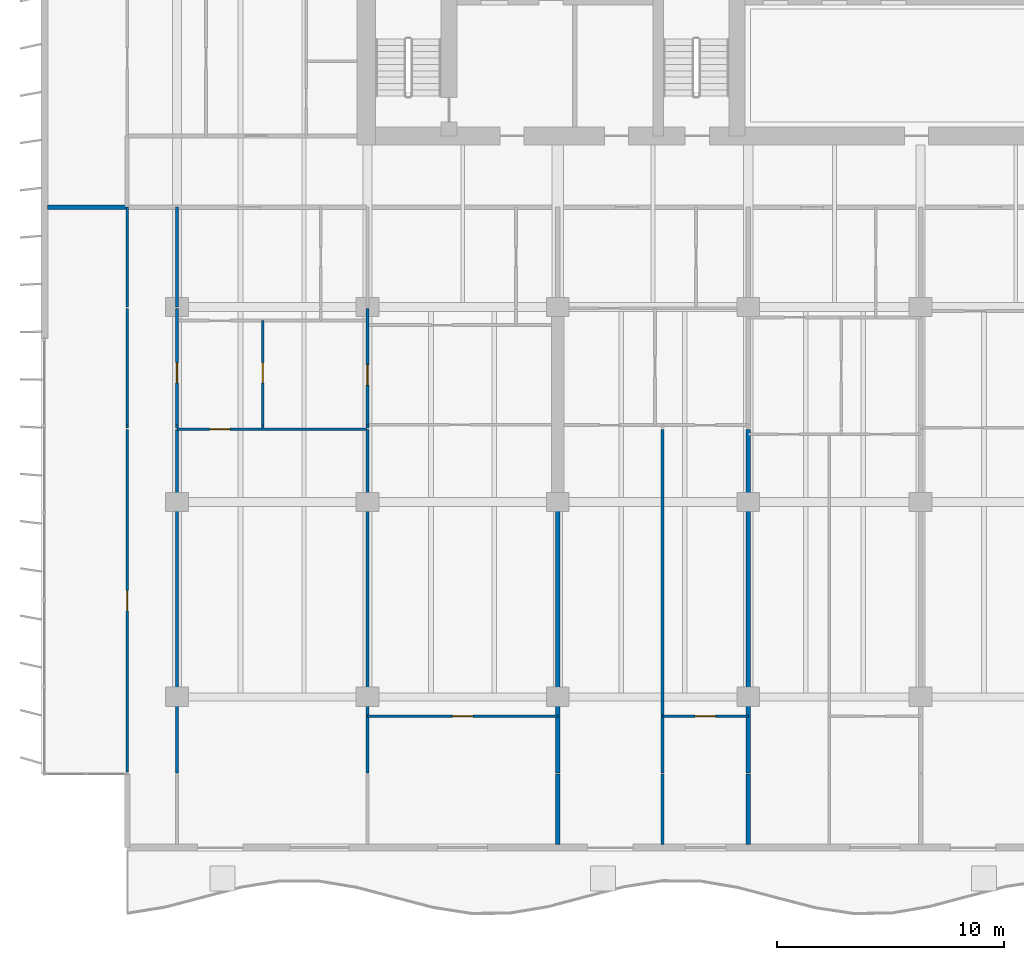
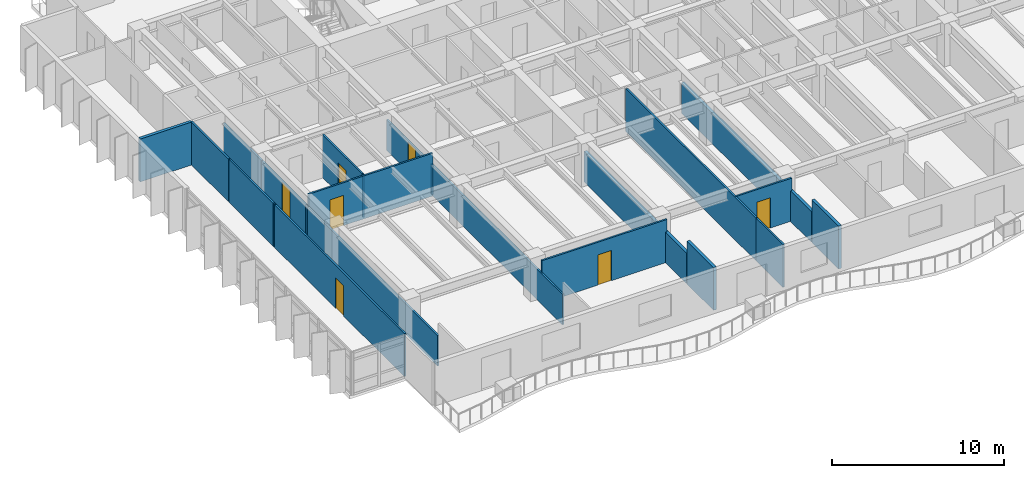
# One storey, part 6 of 19: 23 walls, 7 doors, 7 openings.
"""IFC4 building model written with IfcOpenShell, lengths in metres."""

from ifc_helpers import new_model, si_unit, direction, frame, frame_2d, origin, place, context, subcontext, project, spatial, rectangle, extrude, material, layer, layer_set, type_object, element, fill, save


model = new_model("IFC4")

# Units and contexts
model_context = context("Model", 3, precision=1e-05, world=origin(), true_north=direction((0.0, 1.0)))
body_context = subcontext(model_context, "Body", "Model", "MODEL_VIEW")
ifc_project = project(units=[si_unit("LENGTHUNIT", "METRE"), si_unit("AREAUNIT", "SQUARE_METRE"), si_unit("VOLUMEUNIT", "CUBIC_METRE"), si_unit("PLANEANGLEUNIT", "RADIAN"), si_unit("MASSUNIT", "GRAM", prefix="KILO")], contexts=[model_context])

# Site, building, storey
site_placement = place(None, origin())
site = spatial("IfcSite", under=ifc_project, at=site_placement, CompositionType="ELEMENT")
building_placement = place(site_placement, origin())
building = spatial("IfcBuilding", under=site, at=building_placement, Name="Caelmar Bay Residences", CompositionType="ELEMENT")
storey_placement = place(building_placement, frame((0.0, 0.0, 91.199951171875)))
storey = spatial("IfcBuildingStorey", under=building, at=storey_placement, Name="L24", CompositionType="ELEMENT", Elevation=91.199951171875)

# Wall, opening, door
ifc_material_1 = material(Name="Acoustic metal-stud gypsum partition 120 mm")
ifc_layer_1 = layer(ifc_material_1, 0.1201171875)
ifc_layer_set_1 = layer_set([ifc_layer_1], Name="Acoustic metal-stud gypsum partition 120 mm")
wall_type_1 = type_object("IfcWallType", Name="W-PRT-120", PredefinedType="PARTITIONING", material=ifc_layer_set_1)
wall_1_placement = place(storey_placement, frame((7.699951171875, 8.885009765625, 0.0), z_axis=(0.0, 0.0, 1.0), x_axis=(0.0, 1.0, 0.0)))
wall_1 = element("IfcWall", 1, at=wall_1_placement, inside=storey, type_object=wall_type_1, Name="L24 Partition Wall V001", PredefinedType="PARTITIONING", context=body_context, shape_type="SweptSolid", body=[
    extrude(rectangle(XDim=15.114990234375, YDim=0.1201171875, at=frame_2d((7.5576171875, 0.0))), origin(), (0.0, 0.0, 1.0), 3.050048828125),
])
opening_1_placement = place(wall_1_placement, frame((7.107421875, 0.0, 0.0)))
opening_1 = element("IfcOpeningElement", 2, at=opening_1_placement, cuts=wall_1, Name="Opening D-L24-162", PredefinedType="OPENING", context=body_context, shape_type="SweptSolid", body=[
    extrude(rectangle(XDim=0.89990234375, YDim=2.14990234375, at=frame_2d((0.449951171875, 1.074951171875))), frame((0.0, 0.070068359375, 0.0), z_axis=(0.0, -1.0, 0.0), x_axis=(1.0, 0.0, 0.0)), (0.0, 0.0, 1.0), 0.14013671875),
])
ifc_material_2 = material(Name="Solid walnut timber interior door leaf and frame", Category="wood")
ifc_layer_2 = layer(ifc_material_2, 0.050048828125)
ifc_layer_set_2 = layer_set([ifc_layer_2], Name="Solid walnut timber interior door leaf and frame")
door_type = type_object("IfcDoorType", Name="D-ROOM-900", OperationType="NOTDEFINED", PredefinedType="DOOR", material=ifc_layer_set_2)
door_1_placement = place(opening_1_placement, origin())
door_1 = element("IfcDoor", 3, at=door_1_placement, inside=storey, type_object=door_type, Name="L24 Residence 01 Penthouse West Salon Door", OperationType="SINGLE_SWING_LEFT", OverallHeight=2.14990234375, OverallWidth=0.89990234375, PredefinedType="DOOR", context=body_context, shape_type="SweptSolid", body=[
    extrude(rectangle(XDim=0.89990234375, YDim=2.14990234375, at=frame_2d((0.449951171875, 1.074951171875))), frame((0.0, 0.02490234375, 0.0), z_axis=(0.0, -1.0, 0.0), x_axis=(1.0, 0.0, 0.0)), (0.0, 0.0, 1.0), 0.050048828125),
])
fill(opening_1, door_1)

# Walls
wall_2_placement = place(storey_placement, frame((7.699951171875, 24.070068359375, 0.0), z_axis=(0.0, 0.0, 1.0), x_axis=(0.0, 1.0, 0.0)))
element("IfcWall", 4, at=wall_2_placement, inside=storey, type_object=wall_type_1, Name="L24 Partition Wall V002", PredefinedType="PARTITIONING", context=body_context, shape_type="SweptSolid", body=[
    extrude(rectangle(XDim=0.119873046875, YDim=0.1201171875, at=frame_2d((0.06005859375, 0.0))), origin(), (0.0, 0.0, 1.0), 3.050048828125),
])
wall_3_placement = place(storey_placement, frame((7.699951171875, 24.199951171875, 0.0), z_axis=(0.0, 0.0, 1.0), x_axis=(0.0, 1.0, 0.0)))
element("IfcWall", 5, at=wall_3_placement, inside=storey, type_object=wall_type_1, Name="L24 Partition Wall V003", PredefinedType="PARTITIONING", context=body_context, shape_type="SweptSolid", body=[
    extrude(rectangle(XDim=5.14013671875, YDim=0.1201171875, at=frame_2d((2.570068359375, 0.0))), origin(), (0.0, 0.0, 1.0), 3.050048828125),
])
wall_4_placement = place(storey_placement, frame((7.699951171875, 29.39990234375, 0.0), z_axis=(0.0, 0.0, 1.0), x_axis=(0.0, 1.0, 0.0)))
element("IfcWall", 6, at=wall_4_placement, inside=storey, type_object=wall_type_1, Name="L24 Partition Wall V004", PredefinedType="PARTITIONING", context=body_context, shape_type="SweptSolid", body=[
    extrude(rectangle(XDim=4.400146484375, YDim=0.1201171875, at=frame_2d((2.2001953125, 0.0))), origin(), (0.0, 0.0, 1.0), 3.050048828125),
])
wall_5_placement = place(storey_placement, frame((9.89990234375, 8.840087890625, 0.0), z_axis=(0.0, 0.0, 1.0), x_axis=(0.0, 1.0, 0.0)))
element("IfcWall", 7, at=wall_5_placement, inside=storey, type_object=wall_type_1, Name="L24 Partition Wall V009", PredefinedType="PARTITIONING", context=body_context, shape_type="SweptSolid", body=[
    extrude(rectangle(XDim=15.159912109375, YDim=0.1201171875, at=frame_2d((7.580078125, 0.0))), origin(), (0.0, 0.0, 1.0), 2.174072265625),
])
wall_6_placement = place(storey_placement, frame((9.89990234375, 24.070068359375, 0.0), z_axis=(0.0, 0.0, 1.0), x_axis=(0.0, 1.0, 0.0)))
element("IfcWall", 8, at=wall_6_placement, inside=storey, type_object=wall_type_1, Name="L24 Partition Wall V010", PredefinedType="PARTITIONING", context=body_context, shape_type="SweptSolid", body=[
    extrude(rectangle(XDim=0.119873046875, YDim=0.1201171875, at=frame_2d((0.06005859375, 0.0))), origin(), (0.0, 0.0, 1.0), 2.174072265625),
])

# Wall, opening, door
wall_7_placement = place(storey_placement, frame((9.89990234375, 24.199951171875, 0.0), z_axis=(0.0, 0.0, 1.0), x_axis=(0.0, 1.0, 0.0)))
wall_7 = element("IfcWall", 9, at=wall_7_placement, inside=storey, type_object=wall_type_1, Name="L24 Partition Wall V011", PredefinedType="PARTITIONING", context=body_context, shape_type="SweptSolid", body=[
    extrude(rectangle(XDim=5.14013671875, YDim=0.1201171875, at=frame_2d((2.570068359375, 0.0))), origin(), (0.0, 0.0, 1.0), 2.174072265625),
])
opening_2_placement = place(wall_7_placement, frame((1.85009765625, 0.0, 0.0)))
opening_2 = element("IfcOpeningElement", 10, at=opening_2_placement, cuts=wall_7, Name="Opening D-L24-129", PredefinedType="OPENING", context=body_context, shape_type="SweptSolid", body=[
    extrude(rectangle(XDim=0.89990234375, YDim=2.1240234375, at=frame_2d((0.449951171875, 1.06201171875))), frame((0.0, 0.070068359375, 0.0), z_axis=(0.0, -1.0, 0.0), x_axis=(1.0, 0.0, 0.0)), (0.0, 0.0, 1.0), 0.14013671875),
])
door_2_placement = place(opening_2_placement, origin())
door_2 = element("IfcDoor", 11, at=door_2_placement, inside=storey, type_object=door_type, Name="L24 Residence 01 West Apartment Hall Door", OperationType="SINGLE_SWING_RIGHT", OverallHeight=2.1240234375, OverallWidth=0.89990234375, PredefinedType="DOOR", context=body_context, shape_type="SweptSolid", body=[
    extrude(rectangle(XDim=0.89990234375, YDim=2.1240234375, at=frame_2d((0.449951171875, 1.06201171875))), frame((0.0, 0.02490234375, 0.0), z_axis=(0.0, -1.0, 0.0), x_axis=(1.0, 0.0, 0.0)), (0.0, 0.0, 1.0), 0.050048828125),
])
fill(opening_2, door_2)

# Walls
wall_8_placement = place(storey_placement, frame((9.89990234375, 29.39990234375, 0.0), z_axis=(0.0, 0.0, 1.0), x_axis=(0.0, 1.0, 0.0)))
element("IfcWall", 12, at=wall_8_placement, inside=storey, type_object=wall_type_1, Name="L24 Partition Wall V012", PredefinedType="PARTITIONING", context=body_context, shape_type="SweptSolid", body=[
    extrude(rectangle(XDim=4.400146484375, YDim=0.1201171875, at=frame_2d((2.2001953125, 0.0))), origin(), (0.0, 0.0, 1.0), 2.174072265625),
])
wall_9_placement = place(storey_placement, frame((13.679931640625, 24.070068359375, 0.0), z_axis=(0.0, 0.0, 1.0), x_axis=(0.0, 1.0, 0.0)))
element("IfcWall", 13, at=wall_9_placement, inside=storey, type_object=wall_type_1, Name="L24 Partition Wall V014", PredefinedType="PARTITIONING", context=body_context, shape_type="SweptSolid", body=[
    extrude(rectangle(XDim=0.119873046875, YDim=0.1201171875, at=frame_2d((0.06005859375, 0.0))), origin(), (0.0, 0.0, 1.0), 3.050048828125),
])

# Wall, opening, door
wall_10_placement = place(storey_placement, frame((13.679931640625, 24.199951171875, 0.0), z_axis=(0.0, 0.0, 1.0), x_axis=(0.0, 1.0, 0.0)))
wall_10 = element("IfcWall", 14, at=wall_10_placement, inside=storey, type_object=wall_type_1, Name="L24 Partition Wall V015", PredefinedType="PARTITIONING", context=body_context, shape_type="SweptSolid", body=[
    extrude(rectangle(XDim=4.60009765625, YDim=0.1201171875, at=frame_2d((2.300048828125, 0.0))), origin(), (0.0, 0.0, 1.0), 3.050048828125),
])
opening_3_placement = place(wall_10_placement, frame((1.85009765625, 0.0, 0.0)))
opening_3 = element("IfcOpeningElement", 15, at=opening_3_placement, cuts=wall_10, Name="Opening D-L24-122", PredefinedType="OPENING", context=body_context, shape_type="SweptSolid", body=[
    extrude(rectangle(XDim=0.89990234375, YDim=2.14990234375, at=frame_2d((0.449951171875, 1.074951171875))), frame((0.0, 0.070068359375, 0.0), z_axis=(0.0, -1.0, 0.0), x_axis=(1.0, 0.0, 0.0)), (0.0, 0.0, 1.0), 0.14013671875),
])
door_3_placement = place(opening_3_placement, origin())
door_3 = element("IfcDoor", 16, at=door_3_placement, inside=storey, type_object=door_type, Name="L24 Residence 01 Kitchen Door", OperationType="SINGLE_SWING_LEFT", OverallHeight=2.14990234375, OverallWidth=0.89990234375, PredefinedType="DOOR", context=body_context, shape_type="SweptSolid", body=[
    extrude(rectangle(XDim=0.89990234375, YDim=2.14990234375, at=frame_2d((0.449951171875, 1.074951171875))), frame((0.0, 0.02490234375, 0.0), z_axis=(0.0, -1.0, 0.0), x_axis=(1.0, 0.0, 0.0)), (0.0, 0.0, 1.0), 0.050048828125),
])
fill(opening_3, door_3)

# Walls
wall_11_placement = place(storey_placement, frame((18.300048828125, 8.840087890625, 0.0), z_axis=(0.0, 0.0, 1.0), x_axis=(0.0, 1.0, 0.0)))
element("IfcWall", 17, at=wall_11_placement, inside=storey, type_object=wall_type_1, Name="L24 Partition Wall V020", PredefinedType="PARTITIONING", context=body_context, shape_type="SweptSolid", body=[
    extrude(rectangle(XDim=15.159912109375, YDim=0.1201171875, at=frame_2d((7.580078125, 0.0))), origin(), (0.0, 0.0, 1.0), 2.174072265625),
])
wall_12_placement = place(storey_placement, frame((18.300048828125, 24.070068359375, 0.0), z_axis=(0.0, 0.0, 1.0), x_axis=(0.0, 1.0, 0.0)))
element("IfcWall", 18, at=wall_12_placement, inside=storey, type_object=wall_type_1, Name="L24 Partition Wall V021", PredefinedType="PARTITIONING", context=body_context, shape_type="SweptSolid", body=[
    extrude(rectangle(XDim=0.119873046875, YDim=0.1201171875, at=frame_2d((0.06005859375, 0.0))), origin(), (0.0, 0.0, 1.0), 2.174072265625),
])

# Wall, opening, door
wall_13_placement = place(storey_placement, frame((18.300048828125, 24.199951171875, 0.0), z_axis=(0.0, 0.0, 1.0), x_axis=(0.0, 1.0, 0.0)))
wall_13 = element("IfcWall", 19, at=wall_13_placement, inside=storey, type_object=wall_type_1, Name="L24 Partition Wall V022", PredefinedType="PARTITIONING", context=body_context, shape_type="SweptSolid", body=[
    extrude(rectangle(XDim=5.14013671875, YDim=0.1201171875, at=frame_2d((2.570068359375, 0.0))), origin(), (0.0, 0.0, 1.0), 2.174072265625),
])
opening_4_placement = place(wall_13_placement, frame((1.75, 0.0, 0.0)))
opening_4 = element("IfcOpeningElement", 20, at=opening_4_placement, cuts=wall_13, Name="Opening D-L24-124", PredefinedType="OPENING", context=body_context, shape_type="SweptSolid", body=[
    extrude(rectangle(XDim=0.89990234375, YDim=2.1240234375, at=frame_2d((0.449951171875, 1.06201171875))), frame((0.0, 0.070068359375, 0.0), z_axis=(0.0, -1.0, 0.0), x_axis=(1.0, 0.0, 0.0)), (0.0, 0.0, 1.0), 0.14013671875),
])
door_4_placement = place(opening_4_placement, origin())
door_4 = element("IfcDoor", 21, at=door_4_placement, inside=storey, type_object=door_type, Name="L24 Residence 01 Library Study 1 Door", OperationType="SINGLE_SWING_LEFT", OverallHeight=2.1240234375, OverallWidth=0.89990234375, PredefinedType="DOOR", context=body_context, shape_type="SweptSolid", body=[
    extrude(rectangle(XDim=0.89990234375, YDim=2.1240234375, at=frame_2d((0.449951171875, 1.06201171875))), frame((0.0, 0.02490234375, 0.0), z_axis=(0.0, -1.0, 0.0), x_axis=(1.0, 0.0, 0.0)), (0.0, 0.0, 1.0), 0.050048828125),
])
fill(opening_4, door_4)

# Walls
wall_14_placement = place(storey_placement, frame((31.320068359375, 5.695068359375, 0.0), z_axis=(0.0, 0.0, 1.0), x_axis=(0.0, 1.0, 0.0)))
element("IfcWall", 22, at=wall_14_placement, inside=storey, type_object=wall_type_1, Name="L24 Partition Wall V034", PredefinedType="PARTITIONING", context=body_context, shape_type="SweptSolid", body=[
    extrude(rectangle(XDim=3.10498046875, YDim=0.1201171875, at=frame_2d((1.552490234375, 0.0))), origin(), (0.0, 0.0, 1.0), 3.050048828125),
])
wall_15_placement = place(storey_placement, frame((31.320068359375, 8.840087890625, 0.0), z_axis=(0.0, 0.0, 1.0), x_axis=(0.0, 1.0, 0.0)))
element("IfcWall", 23, at=wall_15_placement, inside=storey, type_object=wall_type_1, Name="L24 Partition Wall V035", PredefinedType="PARTITIONING", context=body_context, shape_type="SweptSolid", body=[
    extrude(rectangle(XDim=15.159912109375, YDim=0.1201171875, at=frame_2d((7.580078125, 0.0))), origin(), (0.0, 0.0, 1.0), 3.050048828125),
])

# Wall, opening, door
wall_16_placement = place(storey_placement, frame((18.300048828125, 11.35009765625, 0.0), z_axis=(0.0, 0.0, 1.0), x_axis=(1.0, 0.0, 0.0)))
wall_16 = element("IfcWall", 24, at=wall_16_placement, inside=storey, type_object=wall_type_1, Name="L24 Partition Wall H099", PredefinedType="PARTITIONING", context=body_context, shape_type="SweptSolid", body=[
    extrude(rectangle(XDim=8.39990234375, YDim=0.1201171875, at=frame_2d((4.199951171875, 0.0))), origin(), (0.0, 0.0, 1.0), 3.050048828125),
])
opening_5_placement = place(wall_16_placement, frame((3.75, 0.0, 0.0)))
opening_5 = element("IfcOpeningElement", 25, at=opening_5_placement, cuts=wall_16, Name="Opening D-L24-128", PredefinedType="OPENING", context=body_context, shape_type="SweptSolid", body=[
    extrude(rectangle(XDim=0.89990234375, YDim=2.14990234375, at=frame_2d((0.449951171875, 1.074951171875))), frame((0.0, 0.070068359375, 0.0), z_axis=(0.0, -1.0, 0.0), x_axis=(1.0, 0.0, 0.0)), (0.0, 0.0, 1.0), 0.14013671875),
])
door_5_placement = place(opening_5_placement, origin())
door_5 = element("IfcDoor", 26, at=door_5_placement, inside=storey, type_object=door_type, Name="L24 Residence 01 Primary Bedroom 1 Door", OperationType="SINGLE_SWING_LEFT", OverallHeight=2.14990234375, OverallWidth=0.89990234375, PredefinedType="DOOR", context=body_context, shape_type="SweptSolid", body=[
    extrude(rectangle(XDim=0.89990234375, YDim=2.14990234375, at=frame_2d((0.449951171875, 1.074951171875))), frame((0.0, 0.02490234375, 0.0), z_axis=(0.0, -1.0, 0.0), x_axis=(1.0, 0.0, 0.0)), (0.0, 0.0, 1.0), 0.050048828125),
])
fill(opening_5, door_5)

wall_17_placement = place(storey_placement, frame((31.320068359375, 11.35009765625, 0.0), z_axis=(0.0, 0.0, 1.0), x_axis=(1.0, 0.0, 0.0)))
wall_17 = element("IfcWall", 27, at=wall_17_placement, inside=storey, type_object=wall_type_1, Name="L24 Partition Wall H100", PredefinedType="PARTITIONING", context=body_context, shape_type="SweptSolid", body=[
    extrude(rectangle(XDim=3.780029296875, YDim=0.1201171875, at=frame_2d((1.89013671875, 0.0))), origin(), (0.0, 0.0, 1.0), 3.050048828125),
])
opening_6_placement = place(wall_17_placement, frame((1.43994140625, 0.0, 0.0)))
opening_6 = element("IfcOpeningElement", 28, at=opening_6_placement, cuts=wall_17, Name="Opening D-L24-136", PredefinedType="OPENING", context=body_context, shape_type="SweptSolid", body=[
    extrude(rectangle(XDim=0.89990234375, YDim=2.14990234375, at=frame_2d((0.449951171875, 1.074951171875))), frame((0.0, 0.070068359375, 0.0), z_axis=(0.0, -1.0, 0.0), x_axis=(1.0, 0.0, 0.0)), (0.0, 0.0, 1.0), 0.14013671875),
])
door_6_placement = place(opening_6_placement, origin())
door_6 = element("IfcDoor", 29, at=door_6_placement, inside=storey, type_object=door_type, Name="L24 Residence 02 Primary Bedroom Door", OperationType="SINGLE_SWING_LEFT", OverallHeight=2.14990234375, OverallWidth=0.89990234375, PredefinedType="DOOR", context=body_context, shape_type="SweptSolid", body=[
    extrude(rectangle(XDim=0.89990234375, YDim=2.14990234375, at=frame_2d((0.449951171875, 1.074951171875))), frame((0.0, 0.02490234375, 0.0), z_axis=(0.0, -1.0, 0.0), x_axis=(1.0, 0.0, 0.0)), (0.0, 0.0, 1.0), 0.050048828125),
])
fill(opening_6, door_6)

wall_18_placement = place(storey_placement, frame((9.89990234375, 24.0, 0.0), z_axis=(0.0, 0.0, 1.0), x_axis=(1.0, 0.0, 0.0)))
wall_18 = element("IfcWall", 30, at=wall_18_placement, inside=storey, type_object=wall_type_1, Name="L24 Partition Wall H105", PredefinedType="PARTITIONING", context=body_context, shape_type="SweptSolid", body=[
    extrude(rectangle(XDim=8.35009765625, YDim=0.1201171875, at=frame_2d((4.175048828125, 0.0))), origin(), (0.0, 0.0, 1.0), 3.050048828125),
])
opening_7_placement = place(wall_18_placement, frame((1.43994140625, 0.0, 0.0)))
opening_7 = element("IfcOpeningElement", 31, at=opening_7_placement, cuts=wall_18, Name="Opening D-L24-123", PredefinedType="OPENING", context=body_context, shape_type="SweptSolid", body=[
    extrude(rectangle(XDim=0.89990234375, YDim=2.14990234375, at=frame_2d((0.449951171875, 1.074951171875))), frame((0.0, 0.070068359375, 0.0), z_axis=(0.0, -1.0, 0.0), x_axis=(1.0, 0.0, 0.0)), (0.0, 0.0, 1.0), 0.14013671875),
])
door_7_placement = place(opening_7_placement, origin())
door_7 = element("IfcDoor", 32, at=door_7_placement, inside=storey, type_object=door_type, Name="L24 Residence 01 Penthouse Living Salon Door", OperationType="SINGLE_SWING_RIGHT", OverallHeight=2.14990234375, OverallWidth=0.89990234375, PredefinedType="DOOR", context=body_context, shape_type="SweptSolid", body=[
    extrude(rectangle(XDim=0.89990234375, YDim=2.14990234375, at=frame_2d((0.449951171875, 1.074951171875))), frame((0.0, 0.02490234375, 0.0), z_axis=(0.0, -1.0, 0.0), x_axis=(1.0, 0.0, 0.0)), (0.0, 0.0, 1.0), 0.050048828125),
])
fill(opening_7, door_7)

# Walls
ifc_material_3 = material(Name="Acoustic twin-stud fire-rated inter-tenancy partition 200 mm")
ifc_layer_3 = layer(ifc_material_3, 0.199951171875)
ifc_layer_set_3 = layer_set([ifc_layer_3], Name="Acoustic twin-stud fire-rated inter-tenancy partition 200 mm")
wall_type_2 = type_object("IfcWallType", Name="W-PTY-200", PredefinedType="PARTITIONING", material=ifc_layer_set_3)
wall_19_placement = place(storey_placement, frame((26.699951171875, 5.695068359375, 0.0), z_axis=(0.0, 0.0, 1.0), x_axis=(0.0, 1.0, 0.0)))
element("IfcWall", 33, at=wall_19_placement, inside=storey, type_object=wall_type_2, Name="L24 Partition Wall V028", PredefinedType="PARTITIONING", context=body_context, shape_type="SweptSolid", body=[
    extrude(rectangle(XDim=3.10498046875, YDim=0.199951171875, at=frame_2d((1.552490234375, 0.0))), origin(), (0.0, 0.0, 1.0), 3.050048828125),
])
wall_20_placement = place(storey_placement, frame((26.699951171875, 8.840087890625, 0.0), z_axis=(0.0, 0.0, 1.0), x_axis=(0.0, 1.0, 0.0)))
element("IfcWall", 34, at=wall_20_placement, inside=storey, type_object=wall_type_2, Name="L24 Partition Wall V029", PredefinedType="PARTITIONING", context=body_context, shape_type="SweptSolid", body=[
    extrude(rectangle(XDim=11.954833984375, YDim=0.199951171875, at=frame_2d((5.9775390625, 0.0))), origin(), (0.0, 0.0, 1.0), 2.174072265625),
])
wall_21_placement = place(storey_placement, frame((35.10009765625, 5.695068359375, 0.0), z_axis=(0.0, 0.0, 1.0), x_axis=(0.0, 1.0, 0.0)))
element("IfcWall", 35, at=wall_21_placement, inside=storey, type_object=wall_type_2, Name="L24 Partition Wall V038", PredefinedType="PARTITIONING", context=body_context, shape_type="SweptSolid", body=[
    extrude(rectangle(XDim=3.10498046875, YDim=0.199951171875, at=frame_2d((1.552490234375, 0.0))), origin(), (0.0, 0.0, 1.0), 3.050048828125),
])
wall_22_placement = place(storey_placement, frame((35.10009765625, 8.840087890625, 0.0), z_axis=(0.0, 0.0, 1.0), x_axis=(0.0, 1.0, 0.0)))
element("IfcWall", 36, at=wall_22_placement, inside=storey, type_object=wall_type_2, Name="L24 Partition Wall V039", PredefinedType="PARTITIONING", context=body_context, shape_type="SweptSolid", body=[
    extrude(rectangle(XDim=15.159912109375, YDim=0.199951171875, at=frame_2d((7.580078125, 0.0))), origin(), (0.0, 0.0, 1.0), 2.174072265625),
])
wall_23_placement = place(storey_placement, frame((4.195068359375, 33.800048828125, 0.0), z_axis=(0.0, 0.0, 1.0), x_axis=(1.0, 0.0, 0.0)))
element("IfcWall", 37, at=wall_23_placement, inside=storey, type_object=wall_type_2, Name="L24 Partition Wall H118", PredefinedType="PARTITIONING", context=body_context, shape_type="SweptSolid", body=[
    extrude(rectangle(XDim=3.5048828125, YDim=0.199951171875, at=frame_2d((1.75244140625, 0.0))), origin(), (0.0, 0.0, 1.0), 3.050048828125),
])

save(model, "model.ifc")
